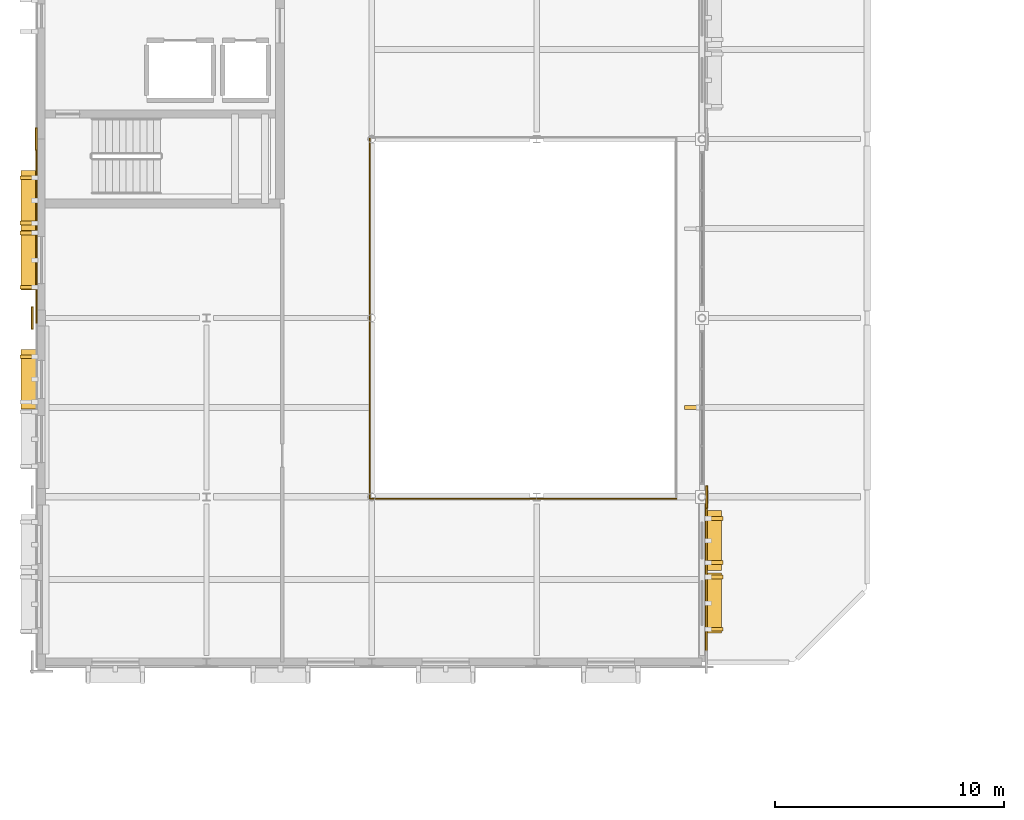
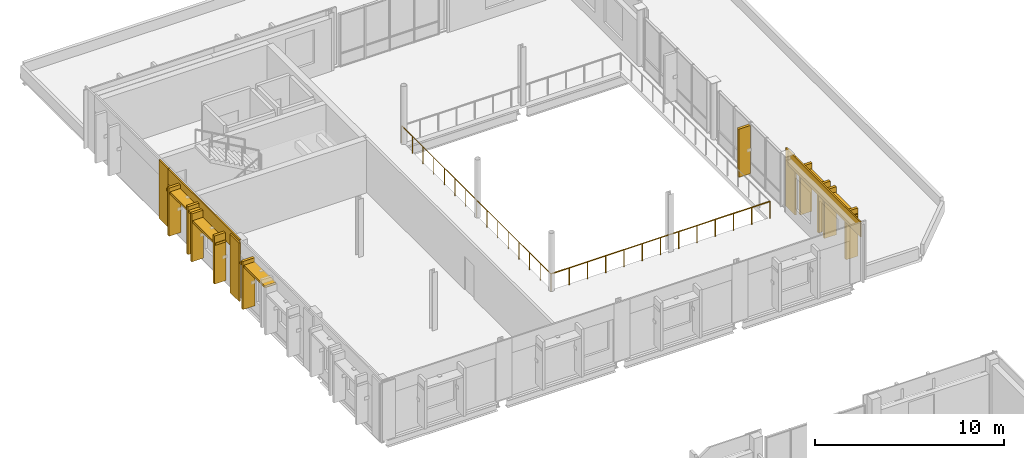
# One storey, part 63 of 73: 15 shading devices, 5 coverings, 2 railings.
"""IFC4 building model written with IfcOpenShell, lengths in metres."""

import ifcopenshell
import ifcopenshell.guid

model = None  # the IFC model being written
_history = None  # IfcOwnerHistory: only IFC2X3 demands one
_inside = {}  # id of a spatial element -> (the spatial element, [elements in it])
_under = {}  # id of a project, library or spatial element -> (it, [spatial elements below it])
_declared = {}  # id of a project -> (the project, [libraries it declares])
_typed = {}  # id of a type object -> (the type object, [elements of that type])
_made_of = {}  # id of a material, layer set ... -> (it, [elements and type objects made of it])


def new_model(schema):
    """Start an empty IFC model of exactly this schema.

    Asked for "IFC4X3", IfcOpenShell would pick the latest addendum, in which some entities
    have other attributes; the version numbers below select the first issue.
    IFC2X3 requires an IfcOwnerHistory on every rooted entity: one is made here for all.
    """
    global model, _history
    if schema == "IFC4X3":
        model = ifcopenshell.file(schema_version=(4, 3, 0, 0))
    else:
        model = ifcopenshell.file(schema=schema)
    _inside.clear()
    _under.clear()
    _declared.clear()
    _typed.clear()
    _made_of.clear()
    _history = None
    if model.schema == "IFC2X3":
        org = make("IfcOrganization", Name="unknown")
        user = make(
            "IfcPersonAndOrganization",
            ThePerson=make("IfcPerson", FamilyName="unknown"),
            TheOrganization=org,
        )
        app = make(
            "IfcApplication",
            ApplicationDeveloper=org,
            Version="unknown",
            ApplicationFullName="unknown",
            ApplicationIdentifier="unknown",
        )
        _history = make(
            "IfcOwnerHistory",
            OwningUser=user,
            OwningApplication=app,
            ChangeAction="ADDED",
            CreationDate=0,
        )
    return model


def make(cls, **values):
    """One entity of the class cls with the attributes given. An attribute that is None is left unset."""
    return model.create_entity(
        cls, **{name: value for name, value in values.items() if value is not None}
    )


def rooted(cls, **values):
    """An entity with a GlobalId (a new one), such as an element, a storey or a relation."""
    return make(cls, GlobalId=ifcopenshell.guid.new(), OwnerHistory=_history, **values)


def si_unit(unit_type, name, prefix=None):
    """IfcSIUnit, for example si_unit("LENGTHUNIT", "METRE", prefix="MILLI")."""
    return make("IfcSIUnit", UnitType=unit_type, Prefix=prefix, Name=name)


def assignment(units):
    """IfcUnitAssignment: the units of a project."""
    return None if units is None else make("IfcUnitAssignment", Units=units)


def point(xyz):
    """IfcCartesianPoint."""
    return None if xyz is None else make("IfcCartesianPoint", Coordinates=xyz)


def direction(xyz):
    """IfcDirection."""
    return None if xyz is None else make("IfcDirection", DirectionRatios=xyz)


def frame(location, z_axis=None, x_axis=None):
    """IfcAxis2Placement3D, a coordinate frame: its origin and axes. An axis left out is left unset."""
    return make(
        "IfcAxis2Placement3D",
        Location=point(location),
        Axis=direction(z_axis),
        RefDirection=direction(x_axis),
    )


def frame_2d(location, x_axis=None):
    """IfcAxis2Placement2D, a coordinate frame in the plane: its origin and x axis."""
    return make(
        "IfcAxis2Placement2D", Location=point(location), RefDirection=direction(x_axis)
    )


def origin():
    """The frame at (0, 0, 0) with its axes left unset."""
    return frame((0.0, 0.0, 0.0))


def origin_2d():
    """The frame at (0, 0) in the plane with its x axis left unset."""
    return frame_2d((0.0, 0.0))


def place(relative_to, where):
    """IfcLocalPlacement: puts the frame where relative to a parent placement (None: the world)."""
    return make(
        "IfcLocalPlacement", PlacementRelTo=relative_to, RelativePlacement=where
    )


def context(
    kind, dimensions, precision=None, world=None, true_north=None, identifier=None
):
    """IfcGeometricRepresentationContext, for example the 3D "Model" context."""
    return make(
        "IfcGeometricRepresentationContext",
        ContextIdentifier=identifier,
        ContextType=kind,
        CoordinateSpaceDimension=dimensions,
        Precision=precision,
        WorldCoordinateSystem=world,
        TrueNorth=true_north,
    )


def subcontext(parent, identifier, kind, view, scale=None):
    """IfcGeometricRepresentationSubContext, for example "Body" below "Model"."""
    return make(
        "IfcGeometricRepresentationSubContext",
        ContextIdentifier=identifier,
        ContextType=kind,
        ParentContext=parent,
        TargetScale=scale,
        TargetView=view,
    )


def project(units=None, contexts=None):
    """IfcProject with its units and contexts."""
    return rooted(
        "IfcProject",
        Name="project",
        RepresentationContexts=contexts,
        UnitsInContext=assignment(units),
    )


def spatial(cls, under=None, at=None, **own):
    """A site, building, storey or space (cls), placed at a placement, below another one or the project."""
    s = rooted(cls, ObjectPlacement=at, **own)
    if under is not None:
        _under.setdefault(under.id(), (under, []))[1].append(s)
    return s


def profile(cls, at=None, kind="AREA", **sizes):
    """A parametric profile (cls). Its sizes go by their IFC names, for example OverallWidth=200.0."""
    return make(cls, ProfileType=kind, Position=at, **sizes)


def rectangle(**sizes):
    """IfcRectangleProfileDef."""
    return profile("IfcRectangleProfileDef", **sizes)


def circle(**sizes):
    """IfcCircleProfileDef."""
    return profile("IfcCircleProfileDef", **sizes)


def extrude(swept, where, along, depth):
    """IfcExtrudedAreaSolid: the profile swept, set in the frame where, extruded along a direction by depth."""
    return make(
        "IfcExtrudedAreaSolid",
        SweptArea=swept,
        Position=where,
        ExtrudedDirection=direction(along),
        Depth=depth,
    )


def shape(context_of_items, identifier, shape_type, items):
    """IfcShapeRepresentation: the items that make up one representation, for example the "Body"."""
    return make(
        "IfcShapeRepresentation",
        ContextOfItems=context_of_items,
        RepresentationIdentifier=identifier,
        RepresentationType=shape_type,
        Items=items,
    )


def material(Name=None, Category=None):
    """IfcMaterial."""
    return make("IfcMaterial", Name=Name, Category=Category)


def layer(
    of_material, thickness, ventilated=None, Name=None, Category=None, Priority=None
):
    """IfcMaterialLayer: one layer of a wall or slab, of a material (None: an air gap)."""
    return make(
        "IfcMaterialLayer",
        Material=of_material,
        LayerThickness=thickness,
        IsVentilated=ventilated,
        Name=Name,
        Category=Category,
        Priority=Priority,
    )


def layer_set(layers, Name=None):
    """IfcMaterialLayerSet."""
    return make("IfcMaterialLayerSet", MaterialLayers=layers, LayerSetName=Name)


def made_of(thing, what):
    """Note that an element or type object is made of a material, layer set ...; save() writes the relation."""
    if what is not None:
        _made_of.setdefault(what.id(), (what, []))[1].append(thing)
    return thing


def type_object(cls, material=None, **own):
    """A type object (cls), such as IfcWallType, which elements share."""
    return made_of(rooted(cls, **own), material)


def element(
    cls,
    number,
    at=None,
    inside=None,
    cuts=None,
    type_object=None,
    material=None,
    context=None,
    identifier="Body",
    shape_type=None,
    held_by="IfcProductDefinitionShape",
    body=None,
    shapes=None,
    **own,
):
    """One element of the class cls, such as IfcWall. Its Tag is "e" and its number.

    at: its placement. inside: the storey or other place that contains it. cuts: it is an
    opening in that element (IfcRelVoidsElement). A single representation is given by context,
    identifier, shape_type and body (its items); several are given by shapes. held_by: the class
    of the entity that holds the representations. save() writes the other relations.
    """
    e = rooted(cls, Tag="e%d" % number, ObjectPlacement=at, **own)
    if body is not None:
        shapes = [shape(context, identifier, shape_type, body)]
    if shapes is not None:
        e.Representation = make(held_by, Representations=shapes)
    if inside is not None:
        _inside.setdefault(inside.id(), (inside, []))[1].append(e)
    if cuts is not None:
        rooted(
            "IfcRelVoidsElement", RelatingBuildingElement=cuts, RelatedOpeningElement=e
        )
    if type_object is not None:
        _typed.setdefault(type_object.id(), (type_object, []))[1].append(e)
    return made_of(e, material)


def aggregate(whole, parts):
    """IfcRelAggregates: a whole, such as a stair, and the parts it consists of."""
    return rooted("IfcRelAggregates", RelatingObject=whole, RelatedObjects=parts)


def save(model, path):
    """Write the relations noted so far, then the file.

    IfcRelAggregates (storeys below a building ...), IfcRelContainedInSpatialStructure (elements
    in a storey), IfcRelDefinesByType, IfcRelAssociatesMaterial and IfcRelDeclares: one each for
    every whole, place, type object, material and project.
    """
    for whole, parts in _under.values():
        aggregate(whole, parts)
    for where, things in _inside.values():
        rooted(
            "IfcRelContainedInSpatialStructure",
            RelatedElements=things,
            RelatingStructure=where,
        )
    for kind, things in _typed.values():
        rooted("IfcRelDefinesByType", RelatedObjects=things, RelatingType=kind)
    for what, things in _made_of.values():
        rooted("IfcRelAssociatesMaterial", RelatedObjects=things, RelatingMaterial=what)
    for by, libraries in _declared.values():
        rooted("IfcRelDeclares", RelatingContext=by, RelatedDefinitions=libraries)
    model.write(path)


model = new_model("IFC4")

# Units and contexts
model_context = context("Model", 3, precision=1e-05, world=origin(), true_north=direction((0.0, 1.0)))
body_context = subcontext(model_context, "Body", "Model", "MODEL_VIEW")
ifc_project = project(units=[si_unit("LENGTHUNIT", "METRE"), si_unit("AREAUNIT", "SQUARE_METRE"), si_unit("VOLUMEUNIT", "CUBIC_METRE"), si_unit("PLANEANGLEUNIT", "RADIAN"), si_unit("MASSUNIT", "GRAM", prefix="KILO")], contexts=[model_context])

# Site, building, storey
site_placement = place(None, origin())
site = spatial("IfcSite", under=ifc_project, at=site_placement, CompositionType="ELEMENT")
building_placement = place(site_placement, origin())
building = spatial("IfcBuilding", under=site, at=building_placement, Name="Vervanel Yard Central Library", CompositionType="ELEMENT")
storey_placement = place(building_placement, frame((0.0, 0.0, 12.780029296875)))
storey = spatial("IfcBuildingStorey", under=building, at=storey_placement, Name="L03", CompositionType="ELEMENT", Elevation=12.780029296875)

# Coverings
ifc_material_1 = material(Name="Precast concrete C45/55", Category="concrete")
ifc_layer = layer(ifc_material_1, 0.0849609375, Category="concrete")
ifc_layer_set = layer_set([ifc_layer], Name="Precast concrete C45/55")
covering_type = type_object("IfcCoveringType", Name="Bush-Hammered Precast Architectural Cladding Panel", PredefinedType="CLADDING", material=ifc_layer_set)
covering_1_placement = place(storey_placement, frame((-0.392578125, 51.0, 0.0), z_axis=(0.0, 0.0, 1.0), x_axis=(0.0, 1.0, 0.0)))
element("IfcCovering", 1, at=covering_1_placement, inside=storey, type_object=covering_type, Name="L03 Precast Concrete Pier Pilaster EWALL-L03-0130-B", PredefinedType="CLADDING", context=body_context, shape_type="SweptSolid", body=[
    extrude(rectangle(XDim=0.97998046875, YDim=0.0849609375, at=origin_2d()), origin(), (0.0, 0.0, 1.0), 3.760009765625),
])
covering_2_placement = place(storey_placement, frame((-0.2099609375, 54.89990234375, 2.800048828125), z_axis=(0.0, 0.0, 1.0), x_axis=(0.0, 1.0, 0.0)))
element("IfcCovering", 2, at=covering_2_placement, inside=storey, type_object=covering_type, Name="L03 Precast Concrete Spandrel Cornice EWALL-L03-0131", PredefinedType="CLADDING", context=body_context, shape_type="SweptSolid", body=[
    extrude(rectangle(XDim=8.25, YDim=0.0849609375, at=origin_2d()), origin(), (0.0, 0.0, 1.0), 0.9599609375),
])
covering_3_placement = place(storey_placement, frame((-0.21240234375, 58.800048828125, 0.0), z_axis=(0.0, 0.0, 1.0), x_axis=(0.0, 1.0, 0.0)))
element("IfcCovering", 3, at=covering_3_placement, inside=storey, type_object=covering_type, Name="L03 Precast Concrete Pier Pilaster EWALL-L03-0131-B", PredefinedType="CLADDING", context=body_context, shape_type="SweptSolid", body=[
    extrude(rectangle(XDim=0.97998046875, YDim=0.0849609375, at=origin_2d()), origin(), (0.0, 0.0, 1.0), 3.760009765625),
])
covering_4_placement = place(storey_placement, frame((28.989990234375, 39.60009765625, 2.800048828125), z_axis=(0.0, 0.0, 1.0), x_axis=(0.0, 1.0, 0.0)))
element("IfcCovering", 4, at=covering_4_placement, inside=storey, type_object=covering_type, Name="L03 Precast Concrete Spandrel Cornice EWALL-L03-0133", PredefinedType="CLADDING", context=body_context, shape_type="SweptSolid", body=[
    extrude(rectangle(XDim=7.64990234375, YDim=0.0849609375, at=origin_2d()), origin(), (0.0, 0.0, 1.0), 0.9599609375),
])
covering_5_placement = place(storey_placement, frame((29.00439453125, 43.199951171875, 0.0), z_axis=(0.0, 0.0, 1.0), x_axis=(0.0, 1.0, 0.0)))
element("IfcCovering", 5, at=covering_5_placement, inside=storey, type_object=covering_type, Name="L03 Precast Concrete Pier Pilaster EWALL-L03-0133-B", PredefinedType="CLADDING", context=body_context, shape_type="SweptSolid", body=[
    extrude(rectangle(XDim=0.97998046875, YDim=0.0849609375, at=origin_2d()), origin(), (0.0, 0.0, 1.0), 3.760009765625),
])

# Railings
ifc_material_2 = material(Name="Brushed stainless steel AISI 316", Category="steel")
railing_type = type_object("IfcRailingType", Name="Glazed Atrium & Gallery Balustrade 1120", PredefinedType="BALUSTRADE", material=ifc_material_2)
railing_1_placement = place(storey_placement, frame((14.320068359375, 43.1201171875, 0.0)))
element("IfcRailing", 6, at=railing_1_placement, inside=storey, type_object=railing_type, Name="L03 Void Guard ATRIUM-GD-L03 S", PredefinedType="BALUSTRADE", context=body_context, shape_type="SweptSolid", body=[
    extrude(circle(Radius=0.02392578125, at=origin_2d()), frame((0.0, 0.0, 1.09619140625), z_axis=(1.0, 0.0, 0.0), x_axis=(0.0, 1.0, 0.0)), (0.0, 0.0, 1.0), 13.35986328125),
    extrude(circle(Radius=0.02099609375, at=origin_2d()), origin(), (0.0, 0.0, 1.0), 1.072021484375),
    extrude(circle(Radius=0.02099609375, at=origin_2d()), frame((1.11328125, 0.0, 0.0)), (0.0, 0.0, 1.0), 1.072021484375),
    extrude(circle(Radius=0.02099609375, at=origin_2d()), frame((2.2265625, 0.0, 0.0)), (0.0, 0.0, 1.0), 1.072021484375),
    extrude(circle(Radius=0.02099609375, at=origin_2d()), frame((3.33984375, 0.0, 0.0)), (0.0, 0.0, 1.0), 1.072021484375),
    extrude(circle(Radius=0.02099609375, at=origin_2d()), frame((4.453369140625, 0.0, 0.0)), (0.0, 0.0, 1.0), 1.072021484375),
    extrude(circle(Radius=0.02099609375, at=origin_2d()), frame((5.566650390625, 0.0, 0.0)), (0.0, 0.0, 1.0), 1.072021484375),
    extrude(circle(Radius=0.02099609375, at=origin_2d()), frame((6.679931640625, 0.0, 0.0)), (0.0, 0.0, 1.0), 1.072021484375),
    extrude(circle(Radius=0.02099609375, at=origin_2d()), frame((7.793212890625, 0.0, 0.0)), (0.0, 0.0, 1.0), 1.072021484375),
    extrude(circle(Radius=0.02099609375, at=origin_2d()), frame((8.906494140625, 0.0, 0.0)), (0.0, 0.0, 1.0), 1.072021484375),
    extrude(circle(Radius=0.02099609375, at=origin_2d()), frame((10.02001953125, 0.0, 0.0)), (0.0, 0.0, 1.0), 1.072021484375),
    extrude(circle(Radius=0.02099609375, at=origin_2d()), frame((11.13330078125, 0.0, 0.0)), (0.0, 0.0, 1.0), 1.072021484375),
    extrude(circle(Radius=0.02099609375, at=origin_2d()), frame((12.24658203125, 0.0, 0.0)), (0.0, 0.0, 1.0), 1.072021484375),
    extrude(circle(Radius=0.02099609375, at=origin_2d()), frame((13.35986328125, 0.0, 0.0)), (0.0, 0.0, 1.0), 1.072021484375),
])
railing_2_placement = place(storey_placement, frame((14.320068359375, 58.8798828125, 0.0)))
element("IfcRailing", 7, at=railing_2_placement, inside=storey, type_object=railing_type, Name="L03 Void Guard ATRIUM-GD-L03 W", PredefinedType="BALUSTRADE", context=body_context, shape_type="SweptSolid", body=[
    extrude(circle(Radius=0.02392578125, at=origin_2d()), frame((0.0, 0.0, 1.09619140625), z_axis=(0.0, -1.0, 0.0), x_axis=(1.0, 0.0, 0.0)), (0.0, 0.0, 1.0), 15.759765625),
    extrude(circle(Radius=0.02099609375, at=origin_2d()), origin(), (0.0, 0.0, 1.0), 1.072021484375),
    extrude(circle(Radius=0.02099609375, at=origin_2d()), frame((0.0, -1.125732421875, 0.0)), (0.0, 0.0, 1.0), 1.072021484375),
    extrude(circle(Radius=0.02099609375, at=origin_2d()), frame((0.0, -2.25146484375, 0.0)), (0.0, 0.0, 1.0), 1.072021484375),
    extrude(circle(Radius=0.02099609375, at=origin_2d()), frame((0.0, -3.377197265625, 0.0)), (0.0, 0.0, 1.0), 1.072021484375),
    extrude(circle(Radius=0.02099609375, at=origin_2d()), frame((0.0, -4.502685546875, 0.0)), (0.0, 0.0, 1.0), 1.072021484375),
    extrude(circle(Radius=0.02099609375, at=origin_2d()), frame((0.0, -5.62841796875, 0.0)), (0.0, 0.0, 1.0), 1.072021484375),
    extrude(circle(Radius=0.02099609375, at=origin_2d()), frame((0.0, -6.754150390625, 0.0)), (0.0, 0.0, 1.0), 1.072021484375),
    extrude(circle(Radius=0.02099609375, at=origin_2d()), frame((0.0, -7.8798828125, 0.0)), (0.0, 0.0, 1.0), 1.072021484375),
    extrude(circle(Radius=0.02099609375, at=origin_2d()), frame((0.0, -9.005615234375, 0.0)), (0.0, 0.0, 1.0), 1.072021484375),
    extrude(circle(Radius=0.02099609375, at=origin_2d()), frame((0.0, -10.13134765625, 0.0)), (0.0, 0.0, 1.0), 1.072021484375),
    extrude(circle(Radius=0.02099609375, at=origin_2d()), frame((0.0, -11.257080078125, 0.0)), (0.0, 0.0, 1.0), 1.072021484375),
    extrude(circle(Radius=0.02099609375, at=origin_2d()), frame((0.0, -12.382568359375, 0.0)), (0.0, 0.0, 1.0), 1.072021484375),
    extrude(circle(Radius=0.02099609375, at=origin_2d()), frame((0.0, -13.50830078125, 0.0)), (0.0, 0.0, 1.0), 1.072021484375),
    extrude(circle(Radius=0.02099609375, at=origin_2d()), frame((0.0, -14.634033203125, 0.0)), (0.0, 0.0, 1.0), 1.072021484375),
    extrude(circle(Radius=0.02099609375, at=origin_2d()), frame((0.0, -15.759765625, 0.0)), (0.0, 0.0, 1.0), 1.072021484375),
])

# Shading devices
shading_device_type_1 = type_object("IfcShadingDeviceType", Name="Horizontal Precast Brise-Soleil Sunhood 2600x680x140", PredefinedType="JALOUSIE", material=ifc_material_1)
for number, where, z_axis, x_axis, name in (
    (8, (-0.5400390625, 48.324951171875, 3.1298828125), (0.0, 0.0, 1.0), (0.0, 1.0, 0.0), "L03 Precast Horizontal Sunhood 76"),
    (9, (-0.5400390625, 53.52490234375, 2.72998046875), (0.0, 0.0, 1.0), (0.0, 1.0, 0.0), "L03 Precast Horizontal Sunhood 77"),
    (10, (-0.5400390625, 56.125, 3.1298828125), (0.0, 0.0, 1.0), (0.0, 1.0, 0.0), "L03 Precast Horizontal Sunhood 78"),
    (11, (29.320068359375, 38.574951171875, 2.97998046875), (0.0, 0.0, 1.0), (0.0, 1.0, 0.0), "L03 Precast Horizontal Sunhood 79"),
    (12, (29.320068359375, 41.300048828125, 2.93017578125), (0.0, 0.0, 1.0), (0.0, 1.0, 0.0), "L03 Precast Horizontal Sunhood 80"),
):
    element("IfcShadingDevice", number, at=place(storey_placement, frame(where, z_axis=z_axis, x_axis=x_axis)), inside=storey, type_object=shading_device_type_1, Name=name, PredefinedType="JALOUSIE", context=body_context, shape_type="SweptSolid", body=[
        extrude(rectangle(XDim=2.60009765625, YDim=0.679931640625, at=origin_2d()), origin(), (0.0, 0.0, 1.0), 0.139892578125),
    ])
shading_device_type_2 = type_object("IfcShadingDeviceType", Name="Vertical Precast Solar Fin 160x720x3200", PredefinedType="JALOUSIE", material=ifc_material_1)
for number, where, z_axis, x_axis, name in (
    (13, (-0.570068359375, 49.31005859375, 0.4248046875), (0.0, 0.0, 1.0), (0.0, 1.0, 0.0), "L03 Precast Solar Fin 364"),
    (14, (-0.570068359375, 52.340087890625, 0.224853515625), (0.0, 0.0, 1.0), (0.0, 1.0, 0.0), "L03 Precast Solar Fin 365"),
    (15, (-0.570068359375, 54.7099609375, 0.224853515625), (0.0, 0.0, 1.0), (0.0, 1.0, 0.0), "L03 Precast Solar Fin 366"),
    (16, (-0.570068359375, 55.139892578125, 0.4248046875), (0.0, 0.0, 1.0), (0.0, 1.0, 0.0), "L03 Precast Solar Fin 367"),
    (17, (-0.570068359375, 57.110107421875, 0.4248046875), (0.0, 0.0, 1.0), (0.0, 1.0, 0.0), "L03 Precast Solar Fin 368"),
    (18, (29.35009765625, 37.43994140625, 0.349853515625), (0.0, 0.0, 1.0), (0.0, 1.0, 0.0), "L03 Precast Solar Fin 371"),
    (19, (29.35009765625, 39.7099609375, 0.349853515625), (0.0, 0.0, 1.0), (0.0, 1.0, 0.0), "L03 Precast Solar Fin 372"),
    (20, (29.35009765625, 40.340087890625, 0.324951171875), (0.0, 0.0, 1.0), (0.0, 1.0, 0.0), "L03 Precast Solar Fin 373"),
    (21, (29.35009765625, 42.260009765625, 0.324951171875), (0.0, 0.0, 1.0), (0.0, 1.0, 0.0), "L03 Precast Solar Fin 374"),
    (22, (28.389892578125, 47.10009765625, 0.14990234375), (0.0, 0.0, 1.0), (0.0, 1.0, 0.0), "L03 Precast Solar Fin 375"),
):
    element("IfcShadingDevice", number, at=place(storey_placement, frame(where, z_axis=z_axis, x_axis=x_axis)), inside=storey, type_object=shading_device_type_2, Name=name, PredefinedType="JALOUSIE", context=body_context, shape_type="SweptSolid", body=[
        extrude(rectangle(XDim=0.159912109375, YDim=0.719970703125, at=origin_2d()), origin(), (0.0, 0.0, 1.0), 3.10009765625),
    ])

save(model, "model.ifc")
